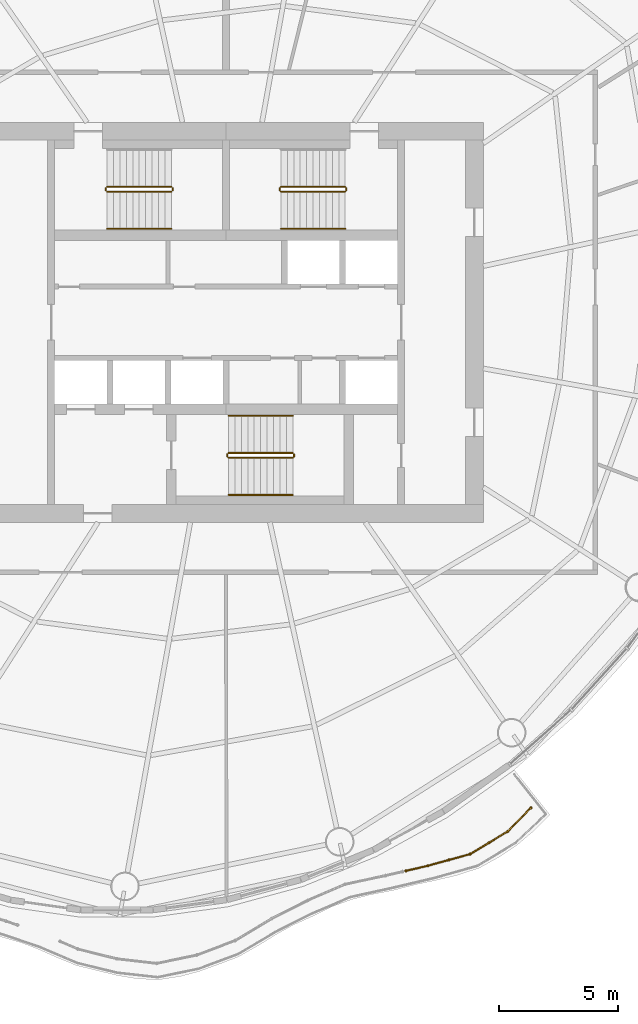
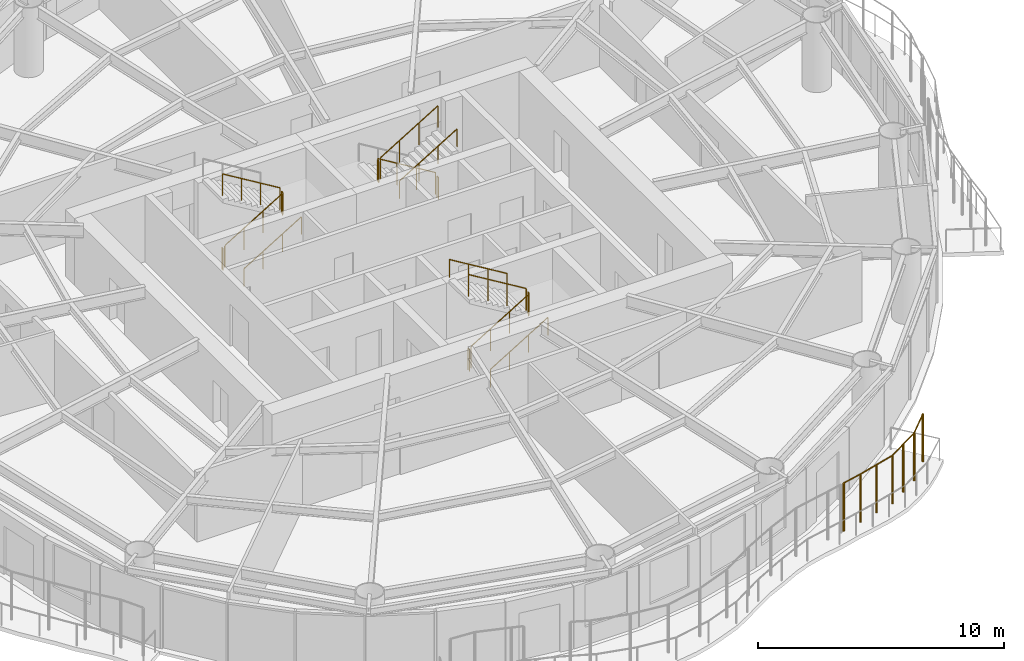
# One storey, part 13 of 14: 17 railings.
"""IFC4 building model written with IfcOpenShell, lengths in metres."""

from ifc_helpers import new_model, si_unit, direction, frame, origin, origin_2d, place, context, subcontext, project, spatial, circle, extrude, material, type_object, element, save


model = new_model("IFC4")

# Units and contexts
model_context = context("Model", 3, precision=1e-05, world=origin(), true_north=direction((0.0, 1.0)))
body_context = subcontext(model_context, "Body", "Model", "MODEL_VIEW")
ifc_project = project(units=[si_unit("LENGTHUNIT", "METRE"), si_unit("AREAUNIT", "SQUARE_METRE"), si_unit("VOLUMEUNIT", "CUBIC_METRE"), si_unit("PLANEANGLEUNIT", "RADIAN"), si_unit("MASSUNIT", "GRAM", prefix="KILO")], contexts=[model_context])

# Site, building, storey
site_placement = place(None, origin())
site = spatial("IfcSite", under=ifc_project, at=site_placement, CompositionType="ELEMENT")
building_placement = place(site_placement, origin())
building = spatial("IfcBuilding", under=site, at=building_placement, Name="Vermilion Reach Broadcast Tower", CompositionType="ELEMENT")
storey_placement = place(building_placement, frame((0.0, 0.0, 235.300048828125)))
storey = spatial("IfcBuildingStorey", under=building, at=storey_placement, Name="L58", CompositionType="ELEMENT", Elevation=235.300048828125)

# Railings
ifc_material_1 = material(Name="Terracotta baguette", Category="masonry")
railing_type_1 = type_object("IfcRailingType", Name="BAGUETTE SCREEN", PredefinedType="USERDEFINED", material=ifc_material_1)
railing_1_placement = place(storey_placement, frame((1.55419921875, -23.03759765625, 0.0)))
element("IfcRailing", 1, at=railing_1_placement, inside=storey, type_object=railing_type_1, Name="Baguette screen L58 group 3 part 3", ObjectType="BAGUETTE SCREEN", PredefinedType="USERDEFINED", context=body_context, shape_type="SweptSolid", body=[
    extrude(circle(Radius=0.030029296875, at=origin_2d()), frame((0.0, 0.0, 2.369873046875), z_axis=(0.97438241069, 0.224897571657, 0.0), x_axis=(-0.224897571657, 0.97438241069, 0.0)), (0.0, 0.0, 1.0), 0.936767578125),
    extrude(circle(Radius=0.030029296875, at=origin_2d()), frame((0.912841796875, 0.210693359375, 2.369873046875), z_axis=(0.963952979755, 0.266072645759, 0.0), x_axis=(-0.266072645759, 0.963952979755, 0.0)), (0.0, 0.0, 1.0), 1.8515625),
    extrude(circle(Radius=0.030029296875, at=origin_2d()), frame((2.69775390625, 0.703369140625, 2.369873046875), z_axis=(0.855666152633, 0.51752819753, 0.0), x_axis=(-0.51752819753, 0.855666152633, 0.0)), (0.0, 0.0, 1.0), 1.833251953125),
    extrude(circle(Radius=0.030029296875, at=origin_2d()), frame((4.266357421875, 1.652099609375, 2.369873046875), z_axis=(0.703322012261, 0.710871399811, 0.0), x_axis=(-0.710871399811, 0.703322012261, 0.0)), (0.0, 0.0, 1.0), 1.390625),
    extrude(circle(Radius=0.050048828125, at=origin_2d()), origin(), (0.0, 0.0, 1.0), 2.33984375),
    extrude(circle(Radius=0.050048828125, at=origin_2d()), frame((0.912841796875, 0.210693359375, 0.0)), (0.0, 0.0, 1.0), 2.33984375),
    extrude(circle(Radius=0.050048828125, at=origin_2d()), frame((1.80517578125, 0.45703125, 0.0)), (0.0, 0.0, 1.0), 2.33984375),
    extrude(circle(Radius=0.050048828125, at=origin_2d()), frame((2.69775390625, 0.703369140625, 0.0)), (0.0, 0.0, 1.0), 2.33984375),
    extrude(circle(Radius=0.050048828125, at=origin_2d()), frame((3.48193359375, 1.177734375, 0.0)), (0.0, 0.0, 1.0), 2.33984375),
    extrude(circle(Radius=0.050048828125, at=origin_2d()), frame((4.266357421875, 1.652099609375, 0.0)), (0.0, 0.0, 1.0), 2.33984375),
    extrude(circle(Radius=0.050048828125, at=origin_2d()), frame((5.244384765625, 2.640625, 0.0)), (0.0, 0.0, 1.0), 2.33984375),
])
ifc_material_2 = material(Name="Stainless steel", Category="steel")
railing_type_2 = type_object("IfcRailingType", Name="Stair guard 1100", PredefinedType="GUARDRAIL", material=ifc_material_2)
railing_2_placement = place(storey_placement, frame((-11.0, 5.489990234375, 0.16357421875)))
element("IfcRailing", 2, at=railing_2_placement, inside=storey, type_object=railing_type_2, Name="L58 ST1 stair guard 1", PredefinedType="GUARDRAIL", context=body_context, shape_type="SweptSolid", body=[
    extrude(circle(Radius=0.02392578125, at=origin_2d()), frame((0.0, 0.0, 1.076171875), z_axis=(0.855178096276, 0.0, 0.518334277904), x_axis=(0.0, 1.0, 0.0)), (0.0, 0.0, 1.0), 3.1572265625),
    extrude(circle(Radius=0.02099609375, at=origin_2d()), origin(), (0.0, 0.0, 1.0), 1.052001953125),
    extrude(circle(Radius=0.02099609375, at=origin_2d()), frame((0.89990234375, 0.0, 0.54541015625)), (0.0, 0.0, 1.0), 1.052001953125),
    extrude(circle(Radius=0.02099609375, at=origin_2d()), frame((1.800048828125, 0.0, 1.091064453125)), (0.0, 0.0, 1.0), 1.052001953125),
    extrude(circle(Radius=0.02099609375, at=origin_2d()), frame((2.699951171875, 0.0, 1.636474609375)), (0.0, 0.0, 1.0), 1.052001953125),
])
railing_3_placement = place(storey_placement, frame((-8.25, 5.5400390625, 1.800048828125)))
element("IfcRailing", 3, at=railing_3_placement, inside=storey, type_object=railing_type_2, Name="L58 ST1 stair guard 2", PredefinedType="GUARDRAIL", context=body_context, shape_type="SweptSolid", body=[
    extrude(circle(Radius=0.02392578125, at=origin_2d()), frame((0.0, 0.0, 1.076171875), z_axis=(0.0, 1.0, 0.0), x_axis=(-1.0, 0.0, 0.0)), (0.0, 0.0, 1.0), 0.099853515625),
    extrude(circle(Radius=0.02099609375, at=origin_2d()), origin(), (0.0, 0.0, 1.0), 1.052001953125),
    extrude(circle(Radius=0.02099609375, at=origin_2d()), frame((0.0, 0.099853515625, 0.0)), (0.0, 0.0, 1.0), 1.052001953125),
])
railing_4_placement = place(storey_placement, frame((-8.300048828125, 5.68994140625, 1.963623046875)))
element("IfcRailing", 4, at=railing_4_placement, inside=storey, type_object=railing_type_2, Name="L58 ST1 stair guard 3", PredefinedType="GUARDRAIL", context=body_context, shape_type="SweptSolid", body=[
    extrude(circle(Radius=0.02392578125, at=origin_2d()), frame((0.0, 0.0, 1.076171875), z_axis=(-0.855212373127, 0.0, 0.518277721738), x_axis=(0.0, -1.0, 0.0)), (0.0, 0.0, 1.0), 3.156982421875),
    extrude(circle(Radius=0.02099609375, at=origin_2d()), origin(), (0.0, 0.0, 1.0), 1.052001953125),
    extrude(circle(Radius=0.02099609375, at=origin_2d()), frame((-0.89990234375, 0.0, 0.54541015625)), (0.0, 0.0, 1.0), 1.052001953125),
    extrude(circle(Radius=0.02099609375, at=origin_2d()), frame((-1.800048828125, 0.0, 1.0908203125)), (0.0, 0.0, 1.0), 1.052001953125),
    extrude(circle(Radius=0.02099609375, at=origin_2d()), frame((-2.699951171875, 0.0, 1.63623046875)), (0.0, 0.0, 1.0), 1.052001953125),
])
railing_5_placement = place(storey_placement, frame((-11.050048828125, 5.5400390625, 0.0)))
element("IfcRailing", 5, at=railing_5_placement, inside=storey, type_object=railing_type_2, Name="L58 ST1 stair guard 4", PredefinedType="GUARDRAIL", context=body_context, shape_type="SweptSolid", body=[
    extrude(circle(Radius=0.02392578125, at=origin_2d()), frame((0.0, 0.0, 1.076171875), z_axis=(0.0, 1.0, 0.0), x_axis=(-1.0, 0.0, 0.0)), (0.0, 0.0, 1.0), 0.099853515625),
    extrude(circle(Radius=0.02099609375, at=origin_2d()), origin(), (0.0, 0.0, 1.0), 1.052001953125),
    extrude(circle(Radius=0.02099609375, at=origin_2d()), frame((0.0, 0.099853515625, 0.0)), (0.0, 0.0, 1.0), 1.052001953125),
])
railing_6_placement = place(storey_placement, frame((-1.0, 5.68994140625, 0.16357421875)))
element("IfcRailing", 6, at=railing_6_placement, inside=storey, type_object=railing_type_2, Name="L58 ST2 stair guard 1", PredefinedType="GUARDRAIL", context=body_context, shape_type="SweptSolid", body=[
    extrude(circle(Radius=0.02392578125, at=origin_2d()), frame((0.0, 0.0, 1.076171875), z_axis=(-0.855178096276, 0.0, 0.518334277904), x_axis=(0.0, -1.0, 0.0)), (0.0, 0.0, 1.0), 3.1572265625),
    extrude(circle(Radius=0.02099609375, at=origin_2d()), origin(), (0.0, 0.0, 1.0), 1.052001953125),
    extrude(circle(Radius=0.02099609375, at=origin_2d()), frame((-0.89990234375, 0.0, 0.54541015625)), (0.0, 0.0, 1.0), 1.052001953125),
    extrude(circle(Radius=0.02099609375, at=origin_2d()), frame((-1.800048828125, 0.0, 1.091064453125)), (0.0, 0.0, 1.0), 1.052001953125),
    extrude(circle(Radius=0.02099609375, at=origin_2d()), frame((-2.699951171875, 0.0, 1.636474609375)), (0.0, 0.0, 1.0), 1.052001953125),
])
railing_7_placement = place(storey_placement, frame((-3.75, 5.639892578125, 1.800048828125)))
element("IfcRailing", 7, at=railing_7_placement, inside=storey, type_object=railing_type_2, Name="L58 ST2 stair guard 2", PredefinedType="GUARDRAIL", context=body_context, shape_type="SweptSolid", body=[
    extrude(circle(Radius=0.02392578125, at=origin_2d()), frame((0.0, 0.0, 1.076171875), z_axis=(0.0, -1.0, 0.0), x_axis=(1.0, 0.0, 0.0)), (0.0, 0.0, 1.0), 0.099853515625),
    extrude(circle(Radius=0.02099609375, at=origin_2d()), origin(), (0.0, 0.0, 1.0), 1.052001953125),
    extrude(circle(Radius=0.02099609375, at=origin_2d()), frame((0.0, -0.099853515625, 0.0)), (0.0, 0.0, 1.0), 1.052001953125),
])
railing_8_placement = place(storey_placement, frame((-3.699951171875, 5.489990234375, 1.963623046875)))
element("IfcRailing", 8, at=railing_8_placement, inside=storey, type_object=railing_type_2, Name="L58 ST2 stair guard 3", PredefinedType="GUARDRAIL", context=body_context, shape_type="SweptSolid", body=[
    extrude(circle(Radius=0.02392578125, at=origin_2d()), frame((0.0, 0.0, 1.076171875), z_axis=(0.855212373127, 0.0, 0.518277721738), x_axis=(0.0, 1.0, 0.0)), (0.0, 0.0, 1.0), 3.156982421875),
    extrude(circle(Radius=0.02099609375, at=origin_2d()), origin(), (0.0, 0.0, 1.0), 1.052001953125),
    extrude(circle(Radius=0.02099609375, at=origin_2d()), frame((0.89990234375, 0.0, 0.54541015625)), (0.0, 0.0, 1.0), 1.052001953125),
    extrude(circle(Radius=0.02099609375, at=origin_2d()), frame((1.800048828125, 0.0, 1.0908203125)), (0.0, 0.0, 1.0), 1.052001953125),
    extrude(circle(Radius=0.02099609375, at=origin_2d()), frame((2.699951171875, 0.0, 1.63623046875)), (0.0, 0.0, 1.0), 1.052001953125),
])
railing_9_placement = place(storey_placement, frame((-0.949951171875, 5.639892578125, 0.0)))
element("IfcRailing", 9, at=railing_9_placement, inside=storey, type_object=railing_type_2, Name="L58 ST2 stair guard 4", PredefinedType="GUARDRAIL", context=body_context, shape_type="SweptSolid", body=[
    extrude(circle(Radius=0.02392578125, at=origin_2d()), frame((0.0, 0.0, 1.076171875), z_axis=(0.0, -1.0, 0.0), x_axis=(1.0, 0.0, 0.0)), (0.0, 0.0, 1.0), 0.099853515625),
    extrude(circle(Radius=0.02099609375, at=origin_2d()), origin(), (0.0, 0.0, 1.0), 1.052001953125),
    extrude(circle(Radius=0.02099609375, at=origin_2d()), frame((0.0, -0.099853515625, 0.0)), (0.0, 0.0, 1.0), 1.052001953125),
])
railing_10_placement = place(storey_placement, frame((-5.89990234375, -5.68994140625, 0.16357421875)))
element("IfcRailing", 10, at=railing_10_placement, inside=storey, type_object=railing_type_2, Name="L58 ST3 stair guard 1", PredefinedType="GUARDRAIL", context=body_context, shape_type="SweptSolid", body=[
    extrude(circle(Radius=0.02392578125, at=origin_2d()), frame((0.0, 0.0, 1.076171875), z_axis=(0.855178096276, 0.0, 0.518334277904), x_axis=(0.0, 1.0, 0.0)), (0.0, 0.0, 1.0), 3.1572265625),
    extrude(circle(Radius=0.02099609375, at=origin_2d()), origin(), (0.0, 0.0, 1.0), 1.052001953125),
    extrude(circle(Radius=0.02099609375, at=origin_2d()), frame((0.89990234375, 0.0, 0.54541015625)), (0.0, 0.0, 1.0), 1.052001953125),
    extrude(circle(Radius=0.02099609375, at=origin_2d()), frame((1.800048828125, 0.0, 1.091064453125)), (0.0, 0.0, 1.0), 1.052001953125),
    extrude(circle(Radius=0.02099609375, at=origin_2d()), frame((2.699951171875, 0.0, 1.636474609375)), (0.0, 0.0, 1.0), 1.052001953125),
])
railing_11_placement = place(storey_placement, frame((-3.14990234375, -5.639892578125, 1.800048828125)))
element("IfcRailing", 11, at=railing_11_placement, inside=storey, type_object=railing_type_2, Name="L58 ST3 stair guard 2", PredefinedType="GUARDRAIL", context=body_context, shape_type="SweptSolid", body=[
    extrude(circle(Radius=0.02392578125, at=origin_2d()), frame((0.0, 0.0, 1.076171875), z_axis=(0.0, 1.0, 0.0), x_axis=(-1.0, 0.0, 0.0)), (0.0, 0.0, 1.0), 0.099853515625),
    extrude(circle(Radius=0.02099609375, at=origin_2d()), origin(), (0.0, 0.0, 1.0), 1.052001953125),
    extrude(circle(Radius=0.02099609375, at=origin_2d()), frame((0.0, 0.099853515625, 0.0)), (0.0, 0.0, 1.0), 1.052001953125),
])
railing_12_placement = place(storey_placement, frame((-3.199951171875, -5.489990234375, 1.963623046875)))
element("IfcRailing", 12, at=railing_12_placement, inside=storey, type_object=railing_type_2, Name="L58 ST3 stair guard 3", PredefinedType="GUARDRAIL", context=body_context, shape_type="SweptSolid", body=[
    extrude(circle(Radius=0.02392578125, at=origin_2d()), frame((0.0, 0.0, 1.076171875), z_axis=(-0.855212373127, 0.0, 0.518277721738), x_axis=(0.0, -1.0, 0.0)), (0.0, 0.0, 1.0), 3.156982421875),
    extrude(circle(Radius=0.02099609375, at=origin_2d()), origin(), (0.0, 0.0, 1.0), 1.052001953125),
    extrude(circle(Radius=0.02099609375, at=origin_2d()), frame((-0.89990234375, 0.0, 0.54541015625)), (0.0, 0.0, 1.0), 1.052001953125),
    extrude(circle(Radius=0.02099609375, at=origin_2d()), frame((-1.800048828125, 0.0, 1.0908203125)), (0.0, 0.0, 1.0), 1.052001953125),
    extrude(circle(Radius=0.02099609375, at=origin_2d()), frame((-2.699951171875, 0.0, 1.63623046875)), (0.0, 0.0, 1.0), 1.052001953125),
])
railing_13_placement = place(storey_placement, frame((-5.949951171875, -5.639892578125, 0.0)))
element("IfcRailing", 13, at=railing_13_placement, inside=storey, type_object=railing_type_2, Name="L58 ST3 stair guard 4", PredefinedType="GUARDRAIL", context=body_context, shape_type="SweptSolid", body=[
    extrude(circle(Radius=0.02392578125, at=origin_2d()), frame((0.0, 0.0, 1.076171875), z_axis=(0.0, 1.0, 0.0), x_axis=(-1.0, 0.0, 0.0)), (0.0, 0.0, 1.0), 0.099853515625),
    extrude(circle(Radius=0.02099609375, at=origin_2d()), origin(), (0.0, 0.0, 1.0), 1.052001953125),
    extrude(circle(Radius=0.02099609375, at=origin_2d()), frame((0.0, 0.099853515625, 0.0)), (0.0, 0.0, 1.0), 1.052001953125),
])
ifc_material_3 = material(Name="Stainless steel", Category="steel")
railing_type_3 = type_object("IfcRailingType", Name="Stair handrail", PredefinedType="HANDRAIL", material=ifc_material_3)
railing_14_placement = place(storey_placement, frame((-11.0, 3.929931640625, 0.16357421875)))
element("IfcRailing", 14, at=railing_14_placement, inside=storey, type_object=railing_type_3, Name="L58 ST1 stair handrail 1", PredefinedType="HANDRAIL", context=body_context, shape_type="SweptSolid", body=[
    extrude(circle(Radius=0.02392578125, at=origin_2d()), frame((0.0, 0.0, 0.8759765625), z_axis=(0.855178096276, 0.0, 0.518334277904), x_axis=(0.0, 1.0, 0.0)), (0.0, 0.0, 1.0), 3.1572265625),
    extrude(circle(Radius=0.02099609375, at=origin_2d()), origin(), (0.0, 0.0, 1.0), 0.851806640625),
    extrude(circle(Radius=0.02099609375, at=origin_2d()), frame((0.89990234375, 0.0, 0.54541015625)), (0.0, 0.0, 1.0), 0.851806640625),
    extrude(circle(Radius=0.02099609375, at=origin_2d()), frame((1.800048828125, 0.0, 1.091064453125)), (0.0, 0.0, 1.0), 0.851806640625),
    extrude(circle(Radius=0.02099609375, at=origin_2d()), frame((2.699951171875, 0.0, 1.636474609375)), (0.0, 0.0, 1.0), 0.851806640625),
])
railing_15_placement = place(storey_placement, frame((-3.699951171875, 3.929931640625, 1.963623046875)))
element("IfcRailing", 15, at=railing_15_placement, inside=storey, type_object=railing_type_3, Name="L58 ST2 stair handrail 2", PredefinedType="HANDRAIL", context=body_context, shape_type="SweptSolid", body=[
    extrude(circle(Radius=0.02392578125, at=origin_2d()), frame((0.0, 0.0, 0.8759765625), z_axis=(0.855212373127, 0.0, 0.518277721738), x_axis=(0.0, 1.0, 0.0)), (0.0, 0.0, 1.0), 3.156982421875),
    extrude(circle(Radius=0.02099609375, at=origin_2d()), origin(), (0.0, 0.0, 1.0), 0.851806640625),
    extrude(circle(Radius=0.02099609375, at=origin_2d()), frame((0.89990234375, 0.0, 0.54541015625)), (0.0, 0.0, 1.0), 0.851806640625),
    extrude(circle(Radius=0.02099609375, at=origin_2d()), frame((1.800048828125, 0.0, 1.0908203125)), (0.0, 0.0, 1.0), 0.851806640625),
    extrude(circle(Radius=0.02099609375, at=origin_2d()), frame((2.699951171875, 0.0, 1.63623046875)), (0.0, 0.0, 1.0), 0.851806640625),
])
railing_16_placement = place(storey_placement, frame((-5.89990234375, -7.25, 0.16357421875)))
element("IfcRailing", 16, at=railing_16_placement, inside=storey, type_object=railing_type_3, Name="L58 ST3 stair handrail 1", PredefinedType="HANDRAIL", context=body_context, shape_type="SweptSolid", body=[
    extrude(circle(Radius=0.02392578125, at=origin_2d()), frame((0.0, 0.0, 0.8759765625), z_axis=(0.855178096276, 0.0, 0.518334277904), x_axis=(0.0, 1.0, 0.0)), (0.0, 0.0, 1.0), 3.1572265625),
    extrude(circle(Radius=0.02099609375, at=origin_2d()), origin(), (0.0, 0.0, 1.0), 0.851806640625),
    extrude(circle(Radius=0.02099609375, at=origin_2d()), frame((0.89990234375, 0.0, 0.54541015625)), (0.0, 0.0, 1.0), 0.851806640625),
    extrude(circle(Radius=0.02099609375, at=origin_2d()), frame((1.800048828125, 0.0, 1.091064453125)), (0.0, 0.0, 1.0), 0.851806640625),
    extrude(circle(Radius=0.02099609375, at=origin_2d()), frame((2.699951171875, 0.0, 1.636474609375)), (0.0, 0.0, 1.0), 0.851806640625),
])
railing_17_placement = place(storey_placement, frame((-3.199951171875, -3.929931640625, 1.963623046875)))
element("IfcRailing", 17, at=railing_17_placement, inside=storey, type_object=railing_type_3, Name="L58 ST3 stair handrail 2", PredefinedType="HANDRAIL", context=body_context, shape_type="SweptSolid", body=[
    extrude(circle(Radius=0.02392578125, at=origin_2d()), frame((0.0, 0.0, 0.8759765625), z_axis=(-0.855212373127, 0.0, 0.518277721738), x_axis=(0.0, -1.0, 0.0)), (0.0, 0.0, 1.0), 3.156982421875),
    extrude(circle(Radius=0.02099609375, at=origin_2d()), origin(), (0.0, 0.0, 1.0), 0.851806640625),
    extrude(circle(Radius=0.02099609375, at=origin_2d()), frame((-0.89990234375, 0.0, 0.54541015625)), (0.0, 0.0, 1.0), 0.851806640625),
    extrude(circle(Radius=0.02099609375, at=origin_2d()), frame((-1.800048828125, 0.0, 1.0908203125)), (0.0, 0.0, 1.0), 0.851806640625),
    extrude(circle(Radius=0.02099609375, at=origin_2d()), frame((-2.699951171875, 0.0, 1.63623046875)), (0.0, 0.0, 1.0), 0.851806640625),
])

save(model, "model.ifc")
